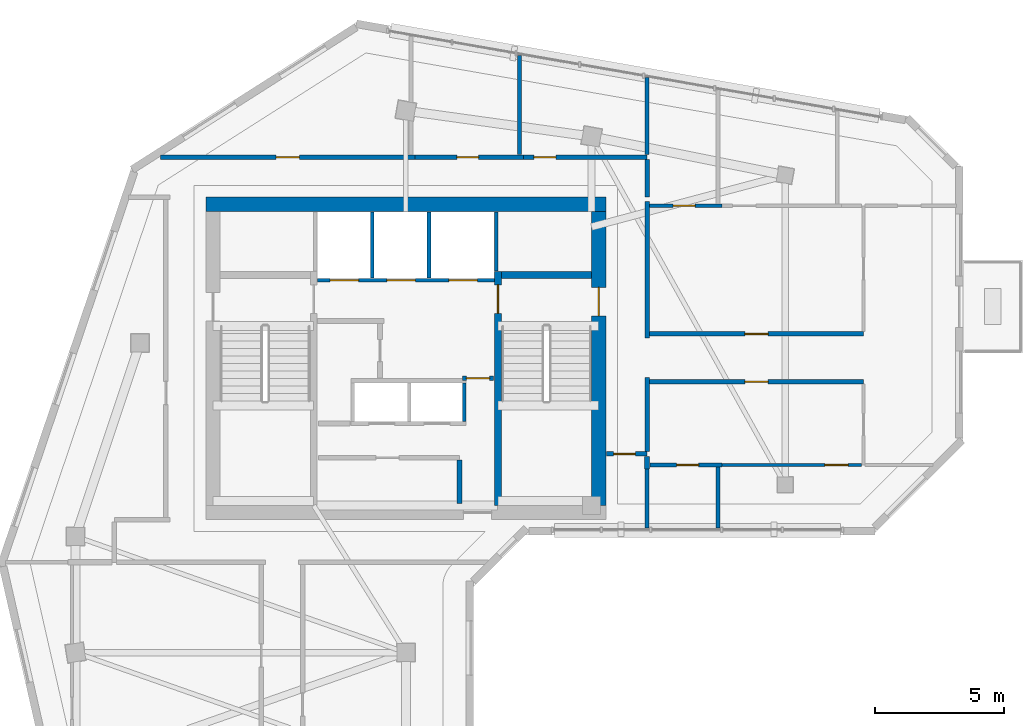
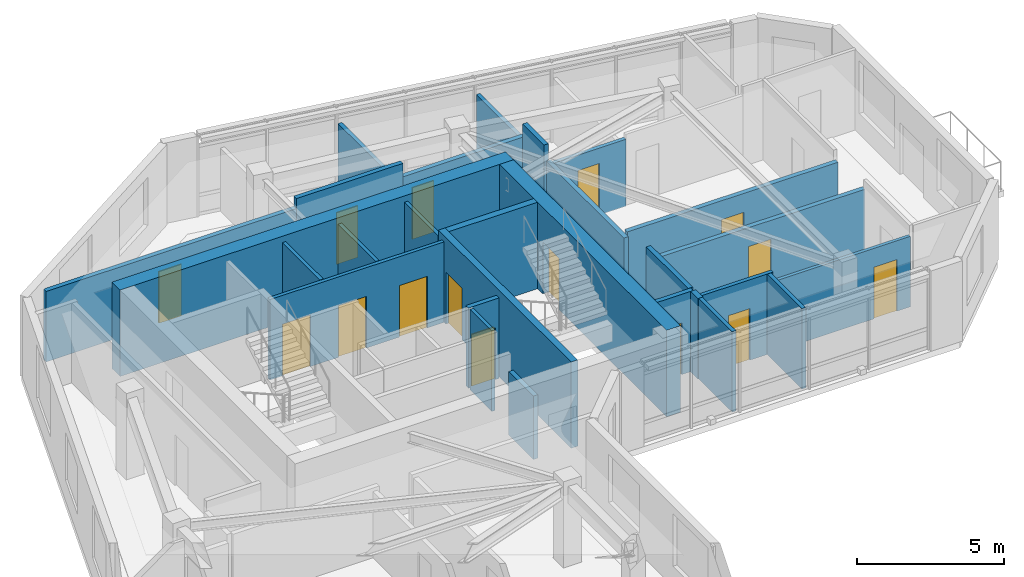
# One storey, part 5 of 9: 28 walls, 15 doors, 15 openings.
"""IFC4 building model written with IfcOpenShell, lengths in metres."""

import ifcopenshell
import ifcopenshell.guid

model = None  # the IFC model being written
_history = None  # IfcOwnerHistory: only IFC2X3 demands one
_inside = {}  # id of a spatial element -> (the spatial element, [elements in it])
_under = {}  # id of a project, library or spatial element -> (it, [spatial elements below it])
_declared = {}  # id of a project -> (the project, [libraries it declares])
_typed = {}  # id of a type object -> (the type object, [elements of that type])
_made_of = {}  # id of a material, layer set ... -> (it, [elements and type objects made of it])


def new_model(schema):
    """Start an empty IFC model of exactly this schema.

    Asked for "IFC4X3", IfcOpenShell would pick the latest addendum, in which some entities
    have other attributes; the version numbers below select the first issue.
    IFC2X3 requires an IfcOwnerHistory on every rooted entity: one is made here for all.
    """
    global model, _history
    if schema == "IFC4X3":
        model = ifcopenshell.file(schema_version=(4, 3, 0, 0))
    else:
        model = ifcopenshell.file(schema=schema)
    _inside.clear()
    _under.clear()
    _declared.clear()
    _typed.clear()
    _made_of.clear()
    _history = None
    if model.schema == "IFC2X3":
        org = make("IfcOrganization", Name="unknown")
        user = make(
            "IfcPersonAndOrganization",
            ThePerson=make("IfcPerson", FamilyName="unknown"),
            TheOrganization=org,
        )
        app = make(
            "IfcApplication",
            ApplicationDeveloper=org,
            Version="unknown",
            ApplicationFullName="unknown",
            ApplicationIdentifier="unknown",
        )
        _history = make(
            "IfcOwnerHistory",
            OwningUser=user,
            OwningApplication=app,
            ChangeAction="ADDED",
            CreationDate=0,
        )
    return model


def make(cls, **values):
    """One entity of the class cls with the attributes given. An attribute that is None is left unset."""
    return model.create_entity(
        cls, **{name: value for name, value in values.items() if value is not None}
    )


def rooted(cls, **values):
    """An entity with a GlobalId (a new one), such as an element, a storey or a relation."""
    return make(cls, GlobalId=ifcopenshell.guid.new(), OwnerHistory=_history, **values)


def si_unit(unit_type, name, prefix=None):
    """IfcSIUnit, for example si_unit("LENGTHUNIT", "METRE", prefix="MILLI")."""
    return make("IfcSIUnit", UnitType=unit_type, Prefix=prefix, Name=name)


def assignment(units):
    """IfcUnitAssignment: the units of a project."""
    return None if units is None else make("IfcUnitAssignment", Units=units)


def point(xyz):
    """IfcCartesianPoint."""
    return None if xyz is None else make("IfcCartesianPoint", Coordinates=xyz)


def direction(xyz):
    """IfcDirection."""
    return None if xyz is None else make("IfcDirection", DirectionRatios=xyz)


def frame(location, z_axis=None, x_axis=None):
    """IfcAxis2Placement3D, a coordinate frame: its origin and axes. An axis left out is left unset."""
    return make(
        "IfcAxis2Placement3D",
        Location=point(location),
        Axis=direction(z_axis),
        RefDirection=direction(x_axis),
    )


def frame_2d(location, x_axis=None):
    """IfcAxis2Placement2D, a coordinate frame in the plane: its origin and x axis."""
    return make(
        "IfcAxis2Placement2D", Location=point(location), RefDirection=direction(x_axis)
    )


def origin():
    """The frame at (0, 0, 0) with its axes left unset."""
    return frame((0.0, 0.0, 0.0))


def place(relative_to, where):
    """IfcLocalPlacement: puts the frame where relative to a parent placement (None: the world)."""
    return make(
        "IfcLocalPlacement", PlacementRelTo=relative_to, RelativePlacement=where
    )


def context(
    kind, dimensions, precision=None, world=None, true_north=None, identifier=None
):
    """IfcGeometricRepresentationContext, for example the 3D "Model" context."""
    return make(
        "IfcGeometricRepresentationContext",
        ContextIdentifier=identifier,
        ContextType=kind,
        CoordinateSpaceDimension=dimensions,
        Precision=precision,
        WorldCoordinateSystem=world,
        TrueNorth=true_north,
    )


def subcontext(parent, identifier, kind, view, scale=None):
    """IfcGeometricRepresentationSubContext, for example "Body" below "Model"."""
    return make(
        "IfcGeometricRepresentationSubContext",
        ContextIdentifier=identifier,
        ContextType=kind,
        ParentContext=parent,
        TargetScale=scale,
        TargetView=view,
    )


def project(units=None, contexts=None):
    """IfcProject with its units and contexts."""
    return rooted(
        "IfcProject",
        Name="project",
        RepresentationContexts=contexts,
        UnitsInContext=assignment(units),
    )


def spatial(cls, under=None, at=None, **own):
    """A site, building, storey or space (cls), placed at a placement, below another one or the project."""
    s = rooted(cls, ObjectPlacement=at, **own)
    if under is not None:
        _under.setdefault(under.id(), (under, []))[1].append(s)
    return s


def profile(cls, at=None, kind="AREA", **sizes):
    """A parametric profile (cls). Its sizes go by their IFC names, for example OverallWidth=200.0."""
    return make(cls, ProfileType=kind, Position=at, **sizes)


def rectangle(**sizes):
    """IfcRectangleProfileDef."""
    return profile("IfcRectangleProfileDef", **sizes)


def extrude(swept, where, along, depth):
    """IfcExtrudedAreaSolid: the profile swept, set in the frame where, extruded along a direction by depth."""
    return make(
        "IfcExtrudedAreaSolid",
        SweptArea=swept,
        Position=where,
        ExtrudedDirection=direction(along),
        Depth=depth,
    )


def shape(context_of_items, identifier, shape_type, items):
    """IfcShapeRepresentation: the items that make up one representation, for example the "Body"."""
    return make(
        "IfcShapeRepresentation",
        ContextOfItems=context_of_items,
        RepresentationIdentifier=identifier,
        RepresentationType=shape_type,
        Items=items,
    )


def source(mapping_origin, context_of_items, identifier, shape_type, items):
    """IfcRepresentationMap: a shape defined once, which mapped items show again and again."""
    return make(
        "IfcRepresentationMap",
        MappingOrigin=mapping_origin,
        MappedRepresentation=shape(context_of_items, identifier, shape_type, items),
    )


def transform(
    local_origin,
    x_axis=None,
    y_axis=None,
    z_axis=None,
    scale=None,
    scale2=None,
    scale3=None,
    uniform=True,
):
    """IfcCartesianTransformationOperator3D, or its non-uniform kind. x_axis, y_axis, z_axis: its Axis1, 2, 3."""
    if uniform:
        return make(
            "IfcCartesianTransformationOperator3D",
            Axis1=direction(x_axis),
            Axis2=direction(y_axis),
            LocalOrigin=point(local_origin),
            Scale=scale,
            Axis3=direction(z_axis),
        )
    return make(
        "IfcCartesianTransformationOperator3DnonUniform",
        Axis1=direction(x_axis),
        Axis2=direction(y_axis),
        LocalOrigin=point(local_origin),
        Scale=scale,
        Axis3=direction(z_axis),
        Scale2=scale2,
        Scale3=scale3,
    )


def mapped(mapping_source, mapping_target):
    """IfcMappedItem: shows the shape of a source again, moved by a transform."""
    return make(
        "IfcMappedItem", MappingSource=mapping_source, MappingTarget=mapping_target
    )


def material(Name=None, Category=None):
    """IfcMaterial."""
    return make("IfcMaterial", Name=Name, Category=Category)


def layer(
    of_material, thickness, ventilated=None, Name=None, Category=None, Priority=None
):
    """IfcMaterialLayer: one layer of a wall or slab, of a material (None: an air gap)."""
    return make(
        "IfcMaterialLayer",
        Material=of_material,
        LayerThickness=thickness,
        IsVentilated=ventilated,
        Name=Name,
        Category=Category,
        Priority=Priority,
    )


def layer_set(layers, Name=None):
    """IfcMaterialLayerSet."""
    return make("IfcMaterialLayerSet", MaterialLayers=layers, LayerSetName=Name)


def made_of(thing, what):
    """Note that an element or type object is made of a material, layer set ...; save() writes the relation."""
    if what is not None:
        _made_of.setdefault(what.id(), (what, []))[1].append(thing)
    return thing


def type_object(cls, material=None, **own):
    """A type object (cls), such as IfcWallType, which elements share."""
    return made_of(rooted(cls, **own), material)


def element(
    cls,
    number,
    at=None,
    inside=None,
    cuts=None,
    type_object=None,
    material=None,
    context=None,
    identifier="Body",
    shape_type=None,
    held_by="IfcProductDefinitionShape",
    body=None,
    shapes=None,
    **own,
):
    """One element of the class cls, such as IfcWall. Its Tag is "e" and its number.

    at: its placement. inside: the storey or other place that contains it. cuts: it is an
    opening in that element (IfcRelVoidsElement). A single representation is given by context,
    identifier, shape_type and body (its items); several are given by shapes. held_by: the class
    of the entity that holds the representations. save() writes the other relations.
    """
    e = rooted(cls, Tag="e%d" % number, ObjectPlacement=at, **own)
    if body is not None:
        shapes = [shape(context, identifier, shape_type, body)]
    if shapes is not None:
        e.Representation = make(held_by, Representations=shapes)
    if inside is not None:
        _inside.setdefault(inside.id(), (inside, []))[1].append(e)
    if cuts is not None:
        rooted(
            "IfcRelVoidsElement", RelatingBuildingElement=cuts, RelatedOpeningElement=e
        )
    if type_object is not None:
        _typed.setdefault(type_object.id(), (type_object, []))[1].append(e)
    return made_of(e, material)


def fill(opening, filler):
    """IfcRelFillsElement: the door or window that sits in an opening."""
    return rooted(
        "IfcRelFillsElement",
        RelatingOpeningElement=opening,
        RelatedBuildingElement=filler,
    )


def aggregate(whole, parts):
    """IfcRelAggregates: a whole, such as a stair, and the parts it consists of."""
    return rooted("IfcRelAggregates", RelatingObject=whole, RelatedObjects=parts)


def save(model, path):
    """Write the relations noted so far, then the file.

    IfcRelAggregates (storeys below a building ...), IfcRelContainedInSpatialStructure (elements
    in a storey), IfcRelDefinesByType, IfcRelAssociatesMaterial and IfcRelDeclares: one each for
    every whole, place, type object, material and project.
    """
    for whole, parts in _under.values():
        aggregate(whole, parts)
    for where, things in _inside.values():
        rooted(
            "IfcRelContainedInSpatialStructure",
            RelatedElements=things,
            RelatingStructure=where,
        )
    for kind, things in _typed.values():
        rooted("IfcRelDefinesByType", RelatedObjects=things, RelatingType=kind)
    for what, things in _made_of.values():
        rooted("IfcRelAssociatesMaterial", RelatedObjects=things, RelatingMaterial=what)
    for by, libraries in _declared.values():
        rooted("IfcRelDeclares", RelatingContext=by, RelatedDefinitions=libraries)
    model.write(path)


model = new_model("IFC4")

# Units and contexts
model_context = context("Model", 3, precision=1e-05, world=origin(), true_north=direction((0.0, 1.0)))
body_context = subcontext(model_context, "Body", "Model", "MODEL_VIEW")
ifc_project = project(units=[si_unit("LENGTHUNIT", "METRE"), si_unit("AREAUNIT", "SQUARE_METRE"), si_unit("VOLUMEUNIT", "CUBIC_METRE"), si_unit("PLANEANGLEUNIT", "RADIAN"), si_unit("MASSUNIT", "GRAM", prefix="KILO")], contexts=[model_context])

# Site, building, storey
site_placement = place(None, origin())
site = spatial("IfcSite", under=ifc_project, at=site_placement, CompositionType="ELEMENT")
building_placement = place(site_placement, origin())
building = spatial("IfcBuilding", under=site, at=building_placement, Name="Calvemar Wedge Station Tower", CompositionType="ELEMENT")
storey_placement = place(building_placement, frame((0.0, 0.0, 260.10009765625)))
storey = spatial("IfcBuildingStorey", under=building, at=storey_placement, Name="L66", CompositionType="ELEMENT", Elevation=260.10009765625)

# Wall, opening, door
ifc_material_1 = material(Name="Concrete C50", Category="concrete")
ifc_layer_1 = layer(ifc_material_1, 0.260009765625)
ifc_layer_set_1 = layer_set([ifc_layer_1], Name="Concrete C50")
wall_type_1 = type_object("IfcWallType", Name="SW-CORE-260", PredefinedType="SHEAR", material=ifc_layer_set_1)
wall_1_placement = place(storey_placement, frame((27.3701171875, 34.199951171875, 0.0), z_axis=(0.0, 0.0, 1.0), x_axis=(0.0, 1.0, 0.0)))
wall_1 = element("IfcWall", 1, at=wall_1_placement, inside=storey, type_object=wall_type_1, Name="Storey L66 Core Shear Wall SPINE-E", PredefinedType="SHEAR", context=body_context, shape_type="SweptSolid", body=[
    extrude(rectangle(XDim=9.06005859375, YDim=0.260009765625, at=frame_2d((4.530029296875, 0.0))), origin(), (0.0, 0.0, 1.0), 3.599853515625),
])
shared_shape_1 = source(origin(), body_context, "Body", "SweptSolid", [
    extrude(rectangle(XDim=1.10009765625, YDim=2.14990234375, at=frame_2d((0.550048828125, 1.074951171875))), frame((0.0, 0.14013671875, 0.0), z_axis=(0.0, -1.0, 0.0), x_axis=(1.0, 0.0, 0.0)), (0.0, 0.0, 1.0), 0.280029296875),
])
opening_1_placement = place(wall_1_placement, frame((7.449951171875, 0.0, 0.0)))
opening_1 = element("IfcOpeningElement", 2, at=opening_1_placement, cuts=wall_1, Name="Opening FD-90", PredefinedType="OPENING", context=body_context, shape_type="MappedRepresentation", body=[
    mapped(shared_shape_1, transform((0.0, 0.0, 0.0), scale=1.0)),
])
ifc_material_2 = material(Name="Galvanized fire-rated steel door leaf P-90", Category="steel")
door_type_1 = type_object("IfcDoorType", Name="DR-FD90-1100", OperationType="NOTDEFINED", PredefinedType="DOOR", material=ifc_material_2)
shared_shape_2 = source(origin(), body_context, "Body", "SweptSolid", [
    extrude(rectangle(XDim=1.10009765625, YDim=2.14990234375, at=frame_2d((0.550048828125, 1.074951171875))), frame((0.0, 0.02490234375, 0.0), z_axis=(0.0, -1.0, 0.0), x_axis=(1.0, 0.0, 0.0)), (0.0, 0.0, 1.0), 0.050048828125),
])
door_1_placement = place(opening_1_placement, origin())
door_1 = element("IfcDoor", 3, at=door_1_placement, inside=storey, type_object=door_type_1, Name="L66 FF Lobby to Stair ST-C2 Door", OperationType="SINGLE_SWING_RIGHT", OverallHeight=2.14990234375, OverallWidth=1.10009765625, PredefinedType="DOOR", context=body_context, shape_type="MappedRepresentation", body=[
    mapped(shared_shape_2, transform((0.0, 0.0, 0.0), scale=1.0)),
])
fill(opening_1, door_1)

# Walls
wall_2_placement = place(storey_placement, frame((27.5, 43.1298828125, 0.0), z_axis=(0.0, 0.0, 1.0), x_axis=(1.0, 0.0, 0.0)))
element("IfcWall", 4, at=wall_2_placement, inside=storey, type_object=wall_type_1, Name="Storey L66 Core Shear Wall STC2-N", PredefinedType="SHEAR", context=body_context, shape_type="SweptSolid", body=[
    extrude(rectangle(XDim=3.5, YDim=0.260009765625, at=frame_2d((1.75, 0.0))), origin(), (0.0, 0.0, 1.0), 3.599853515625),
])
ifc_material_3 = material(Name="Concrete C60", Category="concrete")
ifc_layer_2 = layer(ifc_material_3, 0.550048828125)
ifc_layer_set_2 = layer_set([ifc_layer_2], Name="Concrete C60")
wall_type_2 = type_object("IfcWallType", Name="SW-CORE-550", PredefinedType="SHEAR", material=ifc_layer_set_2)
wall_3_placement = place(storey_placement, frame((16.050048828125, 45.875, 0.0), z_axis=(0.0, 0.0, 1.0), x_axis=(1.0, 0.0, 0.0)))
element("IfcWall", 5, at=wall_3_placement, inside=storey, type_object=wall_type_2, Name="Storey L66 Core Shear Wall N", PredefinedType="SHEAR", context=body_context, shape_type="SweptSolid", body=[
    extrude(rectangle(XDim=15.5, YDim=0.550048828125, at=frame_2d((7.75, 0.0))), origin(), (0.0, 0.0, 1.0), 3.599853515625),
])

# Wall, opening, door
wall_4_placement = place(storey_placement, frame((31.27490234375, 34.199951171875, 0.0), z_axis=(0.0, 0.0, 1.0), x_axis=(0.0, 1.0, 0.0)))
wall_4 = element("IfcWall", 6, at=wall_4_placement, inside=storey, type_object=wall_type_2, Name="Storey L66 Core Shear Wall E", PredefinedType="SHEAR", context=body_context, shape_type="SweptSolid", body=[
    extrude(rectangle(XDim=11.400146484375, YDim=0.550048828125, at=frame_2d((5.7001953125, 0.0))), origin(), (0.0, 0.0, 1.0), 3.599853515625),
])
shared_shape_3 = source(origin(), body_context, "Body", "SweptSolid", [
    extrude(rectangle(XDim=1.10009765625, YDim=2.14990234375, at=frame_2d((0.550048828125, 1.074951171875))), frame((0.0, 0.28515625, 0.0), z_axis=(0.0, -1.0, 0.0), x_axis=(1.0, 0.0, 0.0)), (0.0, 0.0, 1.0), 0.570068359375),
])
opening_2_placement = place(wall_4_placement, frame((7.35009765625, 0.0, 0.0)))
opening_2 = element("IfcOpeningElement", 7, at=opening_2_placement, cuts=wall_4, Name="Opening FD-90", PredefinedType="OPENING", context=body_context, shape_type="MappedRepresentation", body=[
    mapped(shared_shape_3, transform((0.0, 0.0, 0.0), scale=1.0)),
])
door_2_placement = place(opening_2_placement, origin())
door_2 = element("IfcDoor", 8, at=door_2_placement, inside=storey, type_object=door_type_1, Name="L66 East Corridor to Exit Stair ST-C2 Door", OperationType="SINGLE_SWING_RIGHT", OverallHeight=2.14990234375, OverallWidth=1.10009765625, PredefinedType="DOOR", context=body_context, shape_type="MappedRepresentation", body=[
    mapped(shared_shape_2, transform((0.0, 0.0, 0.0), scale=1.0)),
])
fill(opening_2, door_2)

ifc_material_4 = material(Name="Double-stud fire-rated corridor partition")
ifc_layer_3 = layer(ifc_material_4, 0.179931640625)
ifc_layer_set_3 = layer_set([ifc_layer_3], Name="Double-stud fire-rated corridor partition")
wall_type_3 = type_object("IfcWallType", Name="W-CORR-180", PredefinedType="PARTITIONING", material=ifc_layer_set_3)
wall_5_placement = place(storey_placement, frame((27.199951171875, 39.1298828125, 0.0), z_axis=(0.0, 0.0, 1.0), x_axis=(-1.0, 0.0, 0.0)))
wall_5 = element("IfcWall", 9, at=wall_5_placement, inside=storey, type_object=wall_type_3, Name="Storey L66 Interior Partition WL-L66-004", PredefinedType="PARTITIONING", context=body_context, shape_type="SweptSolid", body=[
    extrude(rectangle(XDim=1.2099609375, YDim=0.179931640625, at=frame_2d((0.60498046875, 0.0))), origin(), (0.0, 0.0, 1.0), 3.349853515625),
])
shared_shape_4 = source(origin(), body_context, "Body", "SweptSolid", [
    extrude(rectangle(XDim=0.89990234375, YDim=2.14990234375, at=frame_2d((0.449951171875, 1.074951171875))), frame((0.0, 0.10009765625, 0.0), z_axis=(0.0, -1.0, 0.0), x_axis=(1.0, 0.0, 0.0)), (0.0, 0.0, 1.0), 0.199951171875),
])
opening_3_placement = place(wall_5_placement, frame((0.155029296875, 0.0, 0.0)))
opening_3 = element("IfcOpeningElement", 10, at=opening_3_placement, cuts=wall_5, Name="Opening FD-60", PredefinedType="OPENING", context=body_context, shape_type="MappedRepresentation", body=[
    mapped(shared_shape_4, transform((0.0, 0.0, 0.0), scale=1.0)),
])
ifc_material_5 = material(Name="Fire-rated acoustic timber-core entrance door EI 60", Category="wood")
door_type_2 = type_object("IfcDoorType", Name="DR-FD60-900", OperationType="NOTDEFINED", PredefinedType="DOOR", material=ifc_material_5)
shared_shape_5 = source(origin(), body_context, "Body", "SweptSolid", [
    extrude(rectangle(XDim=0.89990234375, YDim=2.14990234375, at=frame_2d((0.449951171875, 1.074951171875))), frame((0.0, 0.02490234375, 0.0), z_axis=(0.0, -1.0, 0.0), x_axis=(1.0, 0.0, 0.0)), (0.0, 0.0, 1.0), 0.050048828125),
])
door_3_placement = place(opening_3_placement, origin())
door_3 = element("IfcDoor", 11, at=door_3_placement, inside=storey, type_object=door_type_2, Name="L66 Core Service Lobby Door", OperationType="SINGLE_SWING_LEFT", OverallHeight=2.14990234375, OverallWidth=0.89990234375, PredefinedType="DOOR", context=body_context, shape_type="MappedRepresentation", body=[
    mapped(shared_shape_5, transform((0.0, 0.0, 0.0), scale=1.0)),
])
fill(opening_3, door_3)

# Wall
wall_6_placement = place(storey_placement, frame((25.8798828125, 35.9560546875, 0.0), z_axis=(0.0, 0.0, 1.0), x_axis=(0.0, -1.0, 0.0)))
element("IfcWall", 12, at=wall_6_placement, inside=storey, type_object=wall_type_3, Name="Storey L66 Interior Partition WL-L66-006", PredefinedType="PARTITIONING", context=body_context, shape_type="SweptSolid", body=[
    extrude(rectangle(XDim=1.68603515625, YDim=0.179931640625, at=frame_2d((0.843017578125, 0.0))), origin(), (0.0, 0.0, 1.0), 2.641845703125),
])

# Wall, opening, door
wall_7_placement = place(storey_placement, frame((14.29541015625, 47.699951171875, 0.0), z_axis=(0.0, 0.0, 1.0), x_axis=(1.0, 0.0, 0.0)))
wall_7 = element("IfcWall", 13, at=wall_7_placement, inside=storey, type_object=wall_type_3, Name="Storey L66 Interior Partition WL-L66-014", PredefinedType="PARTITIONING", context=body_context, shape_type="SweptSolid", body=[
    extrude(rectangle(XDim=9.864501953125, YDim=0.179931640625, at=frame_2d((4.93212890625, 0.0))), origin(), (0.0, 0.0, 1.0), 2.934814453125),
])
opening_4_placement = place(wall_7_placement, frame((4.482421875, 0.0, 0.0)))
opening_4 = element("IfcOpeningElement", 14, at=opening_4_placement, cuts=wall_7, Name="Opening D-01", PredefinedType="OPENING", context=body_context, shape_type="MappedRepresentation", body=[
    mapped(shared_shape_4, transform((0.0, 0.0, 0.0), scale=1.0)),
])
ifc_material_6 = material(Name="Architectural hardwood acoustic swing door", Category="wood")
door_type_3 = type_object("IfcDoorType", Name="DR-INT-900", OperationType="NOTDEFINED", PredefinedType="DOOR", material=ifc_material_6)
shared_shape_6 = source(origin(), body_context, "Body", "SweptSolid", [
    extrude(rectangle(XDim=0.89990234375, YDim=2.14990234375, at=frame_2d((0.449951171875, 1.074951171875))), frame((0.0, 0.02490234375, 0.0), z_axis=(0.0, -1.0, 0.0), x_axis=(1.0, 0.0, 0.0)), (0.0, 0.0, 1.0), 0.050048828125),
])
door_4_placement = place(opening_4_placement, origin())
door_4 = element("IfcDoor", 15, at=door_4_placement, inside=storey, type_object=door_type_3, Name="L66 Sky Wine Salon Door", OperationType="SINGLE_SWING_RIGHT", OverallHeight=2.14990234375, OverallWidth=0.89990234375, PredefinedType="DOOR", context=body_context, shape_type="MappedRepresentation", body=[
    mapped(shared_shape_6, transform((0.0, 0.0, 0.0), scale=1.0)),
])
fill(opening_4, door_4)

wall_8_placement = place(storey_placement, frame((24.162109375, 47.699951171875, 0.0), z_axis=(0.0, 0.0, 1.0), x_axis=(1.0, 0.0, 0.0)))
wall_8 = element("IfcWall", 16, at=wall_8_placement, inside=storey, type_object=wall_type_3, Name="Storey L66 Interior Partition WL-L66-015", PredefinedType="PARTITIONING", context=body_context, shape_type="SweptSolid", body=[
    extrude(rectangle(XDim=4.197998046875, YDim=0.179931640625, at=frame_2d((2.09912109375, 0.0))), origin(), (0.0, 0.0, 1.0), 3.349853515625),
])
shared_shape_7 = source(origin(), body_context, "Body", "SweptSolid", [
    extrude(rectangle(XDim=0.85009765625, YDim=2.14990234375, at=frame_2d((0.425048828125, 1.074951171875))), frame((0.0, 0.10009765625, 0.0), z_axis=(0.0, -1.0, 0.0), x_axis=(1.0, 0.0, 0.0)), (0.0, 0.0, 1.0), 0.199951171875),
])
opening_5_placement = place(wall_8_placement, frame((1.61328125, 0.0, 0.0)))
opening_5 = element("IfcOpeningElement", 17, at=opening_5_placement, cuts=wall_8, Name="Opening D-02", PredefinedType="OPENING", context=body_context, shape_type="MappedRepresentation", body=[
    mapped(shared_shape_7, transform((0.0, 0.0, 0.0), scale=1.0)),
])
ifc_material_7 = material(Name="Moisture-sealed bathroom hardwood swing door", Category="wood")
door_type_4 = type_object("IfcDoorType", Name="DR-WET-850", OperationType="NOTDEFINED", PredefinedType="DOOR", material=ifc_material_7)
shared_shape_8 = source(origin(), body_context, "Body", "SweptSolid", [
    extrude(rectangle(XDim=0.85009765625, YDim=2.14990234375, at=frame_2d((0.425048828125, 1.074951171875))), frame((0.0, 0.02490234375, 0.0), z_axis=(0.0, -1.0, 0.0), x_axis=(1.0, 0.0, 0.0)), (0.0, 0.0, 1.0), 0.050048828125),
])
door_5_placement = place(opening_5_placement, origin())
door_5 = element("IfcDoor", 18, at=door_5_placement, inside=storey, type_object=door_type_4, Name="L66 Accessible WC Door", OperationType="SINGLE_SWING_LEFT", OverallHeight=2.14990234375, OverallWidth=0.85009765625, PredefinedType="DOOR", context=body_context, shape_type="MappedRepresentation", body=[
    mapped(shared_shape_8, transform((0.0, 0.0, 0.0), scale=1.0)),
])
fill(opening_5, door_5)

wall_9_placement = place(storey_placement, frame((28.362060546875, 47.699951171875, 0.0), z_axis=(0.0, 0.0, 1.0), x_axis=(1.0, 0.0, 0.0)))
wall_9 = element("IfcWall", 19, at=wall_9_placement, inside=storey, type_object=wall_type_3, Name="Storey L66 Interior Partition WL-L66-016", PredefinedType="PARTITIONING", context=body_context, shape_type="SweptSolid", body=[
    extrude(rectangle(XDim=4.787841796875, YDim=0.179931640625, at=frame_2d((2.39404296875, 0.0))), origin(), (0.0, 0.0, 1.0), 2.787841796875),
])
opening_6_placement = place(wall_9_placement, frame((0.400634765625, 0.0, 0.0)))
opening_6 = element("IfcOpeningElement", 20, at=opening_6_placement, cuts=wall_9, Name="Opening D-02", PredefinedType="OPENING", context=body_context, shape_type="MappedRepresentation", body=[
    mapped(shared_shape_7, transform((0.0, 0.0, 0.0), scale=1.0)),
])
door_6_placement = place(opening_6_placement, origin())
door_6 = element("IfcDoor", 21, at=door_6_placement, inside=storey, type_object=door_type_4, Name="L66 Storage Room Door", OperationType="SINGLE_SWING_RIGHT", OverallHeight=2.14990234375, OverallWidth=0.85009765625, PredefinedType="DOOR", context=body_context, shape_type="MappedRepresentation", body=[
    mapped(shared_shape_8, transform((0.0, 0.0, 0.0), scale=1.0)),
])
fill(opening_6, door_6)

# Wall
wall_10_placement = place(storey_placement, frame((33.14990234375, 47.60595703125, 0.0), z_axis=(0.0, 0.0, 1.0), x_axis=(0.0, -1.0, 0.0)))
element("IfcWall", 22, at=wall_10_placement, inside=storey, type_object=wall_type_3, Name="Storey L66 Interior Partition WL-L66-017", PredefinedType="PARTITIONING", context=body_context, shape_type="SweptSolid", body=[
    extrude(rectangle(XDim=1.4560546875, YDim=0.179931640625, at=frame_2d((0.72802734375, 0.0))), origin(), (0.0, 0.0, 1.0), 3.349853515625),
])

# Wall, opening, door
wall_11_placement = place(storey_placement, frame((33.14990234375, 36.199951171875, 0.0), z_axis=(0.0, 0.0, 1.0), x_axis=(-1.0, 0.0, 0.0)))
wall_11 = element("IfcWall", 23, at=wall_11_placement, inside=storey, type_object=wall_type_3, Name="Storey L66 Interior Partition WL-L66-018", PredefinedType="PARTITIONING", context=body_context, shape_type="SweptSolid", body=[
    extrude(rectangle(XDim=1.579833984375, YDim=0.179931640625, at=frame_2d((0.7900390625, 0.0))), origin(), (0.0, 0.0, 1.0), 3.349853515625),
])
opening_7_placement = place(wall_11_placement, frame((0.449951171875, 0.0, 0.0)))
opening_7 = element("IfcOpeningElement", 24, at=opening_7_placement, cuts=wall_11, Name="Opening D-02", PredefinedType="OPENING", context=body_context, shape_type="MappedRepresentation", body=[
    mapped(shared_shape_7, transform((0.0, 0.0, 0.0), scale=1.0)),
])
door_7_placement = place(opening_7_placement, origin())
door_7 = element("IfcDoor", 25, at=door_7_placement, inside=storey, type_object=door_type_4, Name="L66 Pantry Door", OperationType="SINGLE_SWING_LEFT", OverallHeight=2.14990234375, OverallWidth=0.85009765625, PredefinedType="DOOR", context=body_context, shape_type="MappedRepresentation", body=[
    mapped(shared_shape_8, transform((0.0, 0.0, 0.0), scale=1.0)),
])
fill(opening_7, door_7)

# Walls
wall_12_placement = place(storey_placement, frame((33.14990234375, 45.97509765625, 0.0), z_axis=(0.0, 0.0, 1.0), x_axis=(0.0, -1.0, 0.0)))
element("IfcWall", 26, at=wall_12_placement, inside=storey, type_object=wall_type_3, Name="Storey L66 Interior Partition WL-L66-019", PredefinedType="PARTITIONING", context=body_context, shape_type="SweptSolid", body=[
    extrude(rectangle(XDim=5.28515625, YDim=0.179931640625, at=frame_2d((2.642578125, 0.0))), origin(), (0.0, 0.0, 1.0), 2.787841796875),
])
wall_13_placement = place(storey_placement, frame((33.14990234375, 39.159912109375, 0.0), z_axis=(0.0, 0.0, 1.0), x_axis=(0.0, -1.0, 0.0)))
element("IfcWall", 27, at=wall_13_placement, inside=storey, type_object=wall_type_3, Name="Storey L66 Interior Partition WL-L66-020", PredefinedType="PARTITIONING", context=body_context, shape_type="SweptSolid", body=[
    extrude(rectangle(XDim=2.865966796875, YDim=0.179931640625, at=frame_2d((1.43310546875, 0.0))), origin(), (0.0, 0.0, 1.0), 3.349853515625),
])

# Wall, opening, door
wall_14_placement = place(storey_placement, frame((33.243896484375, 40.85009765625, 0.0), z_axis=(0.0, 0.0, 1.0), x_axis=(1.0, 0.0, 0.0)))
wall_14 = element("IfcWall", 28, at=wall_14_placement, inside=storey, type_object=wall_type_3, Name="Storey L66 Interior Partition WL-L66-026", PredefinedType="PARTITIONING", context=body_context, shape_type="SweptSolid", body=[
    extrude(rectangle(XDim=8.291015625, YDim=0.179931640625, at=frame_2d((4.1455078125, 0.0))), origin(), (0.0, 0.0, 1.0), 2.934814453125),
])
opening_8_placement = place(wall_14_placement, frame((3.695556640625, 0.0, 0.0)))
opening_8 = element("IfcOpeningElement", 29, at=opening_8_placement, cuts=wall_14, Name="Opening FD-60", PredefinedType="OPENING", context=body_context, shape_type="MappedRepresentation", body=[
    mapped(shared_shape_4, transform((0.0, 0.0, 0.0), scale=1.0)),
])
door_8_placement = place(opening_8_placement, origin())
door_8 = element("IfcDoor", 30, at=door_8_placement, inside=storey, type_object=door_type_2, Name="L66 Living Dining Door", OperationType="SINGLE_SWING_RIGHT", OverallHeight=2.14990234375, OverallWidth=0.89990234375, PredefinedType="DOOR", context=body_context, shape_type="MappedRepresentation", body=[
    mapped(shared_shape_5, transform((0.0, 0.0, 0.0), scale=1.0)),
])
fill(opening_8, door_8)

wall_15_placement = place(storey_placement, frame((41.534912109375, 39.0, 0.0), z_axis=(0.0, 0.0, 1.0), x_axis=(-1.0, 0.0, 0.0)))
wall_15 = element("IfcWall", 31, at=wall_15_placement, inside=storey, type_object=wall_type_3, Name="Storey L66 Interior Partition WL-L66-027", PredefinedType="PARTITIONING", context=body_context, shape_type="SweptSolid", body=[
    extrude(rectangle(XDim=8.291015625, YDim=0.179931640625, at=frame_2d((4.1455078125, 0.0))), origin(), (0.0, 0.0, 1.0), 2.934814453125),
])
opening_9_placement = place(wall_15_placement, frame((3.695556640625, 0.0, 0.0)))
opening_9 = element("IfcOpeningElement", 32, at=opening_9_placement, cuts=wall_15, Name="Opening FD-60", PredefinedType="OPENING", context=body_context, shape_type="MappedRepresentation", body=[
    mapped(shared_shape_4, transform((0.0, 0.0, 0.0), scale=1.0)),
])
door_9_placement = place(opening_9_placement, origin())
door_9 = element("IfcDoor", 33, at=door_9_placement, inside=storey, type_object=door_type_2, Name="L66 Living Dining Door", OperationType="SINGLE_SWING_LEFT", OverallHeight=2.14990234375, OverallWidth=0.89990234375, PredefinedType="DOOR", context=body_context, shape_type="MappedRepresentation", body=[
    mapped(shared_shape_5, transform((0.0, 0.0, 0.0), scale=1.0)),
])
fill(opening_9, door_9)

# Wall
ifc_material_8 = material(Name="Twin-stud fire-rated inter-tenancy wall")
ifc_layer_4 = layer(ifc_material_8, 0.199951171875)
ifc_layer_set_4 = layer_set([ifc_layer_4], Name="Twin-stud fire-rated inter-tenancy wall")
wall_type_4 = type_object("IfcWallType", Name="W-DEMISE-200", PredefinedType="PARTITIONING", material=ifc_layer_set_4)
wall_16_placement = place(storey_placement, frame((33.14990234375, 36.10595703125, 0.0), z_axis=(0.0, 0.0, 1.0), x_axis=(0.0, -1.0, 0.0)))
element("IfcWall", 34, at=wall_16_placement, inside=storey, type_object=wall_type_4, Name="Storey L66 Interior Partition WL-L66-028", PredefinedType="PARTITIONING", context=body_context, shape_type="SweptSolid", body=[
    extrude(rectangle(XDim=0.494873046875, YDim=0.199951171875, at=frame_2d((0.24755859375, 0.0))), origin(), (0.0, 0.0, 1.0), 3.349853515625),
])

# Wall, openings, doors
ifc_material_9 = material(Name="Reinforced concrete blockwork lift shaft wall", Category="masonry")
ifc_layer_5 = layer(ifc_material_9, 0.139892578125)
ifc_layer_set_5 = layer_set([ifc_layer_5], Name="Reinforced concrete blockwork lift shaft wall")
wall_type_5 = type_object("IfcWallType", Name="W-LIFT-160", PredefinedType="SOLIDWALL", material=ifc_layer_set_5)
wall_17_placement = place(storey_placement, frame((20.3701171875, 42.929931640625, 0.0), z_axis=(0.0, 0.0, 1.0), x_axis=(1.0, 0.0, 0.0)))
wall_17 = element("IfcWall", 35, at=wall_17_placement, inside=storey, type_object=wall_type_5, Name="Storey L66 Firefighting and Service Lift Shaft Front Wall", PredefinedType="SOLIDWALL", context=body_context, shape_type="SweptSolid", body=[
    extrude(rectangle(XDim=6.85986328125, YDim=0.139892578125, at=frame_2d((3.429931640625, 0.0))), origin(), (0.0, 0.0, 1.0), 3.349853515625),
])
shared_shape_9 = source(origin(), body_context, "Body", "SweptSolid", [
    extrude(rectangle(XDim=1.10009765625, YDim=2.14990234375, at=frame_2d((0.550048828125, 1.074951171875))), frame((0.0, 0.080078125, 0.0), z_axis=(0.0, -1.0, 0.0), x_axis=(1.0, 0.0, 0.0)), (0.0, 0.0, 1.0), 0.159912109375),
])
opening_10_placement = place(wall_17_placement, frame((0.5, 0.0, 0.0)))
opening_10 = element("IfcOpeningElement", 36, at=opening_10_placement, cuts=wall_17, Name="Opening LD-FF", PredefinedType="OPENING", context=body_context, shape_type="MappedRepresentation", body=[
    mapped(shared_shape_9, transform((0.0, 0.0, 0.0), scale=1.0)),
])
opening_11_placement = place(wall_17_placement, frame((2.699951171875, 0.0, 0.0)))
opening_11 = element("IfcOpeningElement", 37, at=opening_11_placement, cuts=wall_17, Name="Opening LD-FF", PredefinedType="OPENING", context=body_context, shape_type="MappedRepresentation", body=[
    mapped(shared_shape_9, transform((0.0, 0.0, 0.0), scale=1.0)),
])
opening_12_placement = place(wall_17_placement, frame((5.10009765625, 0.0, 0.0)))
opening_12 = element("IfcOpeningElement", 38, at=opening_12_placement, cuts=wall_17, Name="Opening LD-STN", PredefinedType="OPENING", context=body_context, shape_type="MappedRepresentation", body=[
    mapped(shared_shape_9, transform((0.0, 0.0, 0.0), scale=1.0)),
])
ifc_material_10 = material(Name="Stainless steel firefighting lift sliding landing door", Category="steel")
door_type_5 = type_object("IfcDoorType", Name="DR-LD-FF-1100", OperationType="SLIDING_TO_LEFT", PredefinedType="DOOR", material=ifc_material_10)
shared_shape_10 = source(origin(), body_context, "Body", "SweptSolid", [
    extrude(rectangle(XDim=1.10009765625, YDim=2.14990234375, at=frame_2d((0.550048828125, 1.074951171875))), frame((0.0, 0.02490234375, 0.0), z_axis=(0.0, -1.0, 0.0), x_axis=(1.0, 0.0, 0.0)), (0.0, 0.0, 1.0), 0.050048828125),
])
door_10_placement = place(opening_10_placement, origin())
door_10 = element("IfcDoor", 39, at=door_10_placement, inside=storey, type_object=door_type_5, Name="L66 Lift FF-01 Sliding Landing Door", OperationType="SLIDING_TO_LEFT", OverallHeight=2.14990234375, OverallWidth=1.10009765625, PredefinedType="DOOR", context=body_context, shape_type="MappedRepresentation", body=[
    mapped(shared_shape_10, transform((0.0, 0.0, 0.0), scale=1.0)),
])
fill(opening_10, door_10)
door_11_placement = place(opening_11_placement, origin())
door_11 = element("IfcDoor", 40, at=door_11_placement, inside=storey, type_object=door_type_5, Name="L66 Lift FF-02 Sliding Landing Door", OperationType="SLIDING_TO_RIGHT", OverallHeight=2.14990234375, OverallWidth=1.10009765625, PredefinedType="DOOR", context=body_context, shape_type="MappedRepresentation", body=[
    mapped(shared_shape_10, transform((0.0, 0.0, 0.0), scale=1.0)),
])
fill(opening_11, door_11)
ifc_material_11 = material(Name="Stainless steel transit lift sliding landing door", Category="steel")
door_type_6 = type_object("IfcDoorType", Name="DR-LD-PAX-1100", OperationType="SLIDING_TO_LEFT", PredefinedType="DOOR", material=ifc_material_11)
shared_shape_11 = source(origin(), body_context, "Body", "SweptSolid", [
    extrude(rectangle(XDim=1.10009765625, YDim=2.14990234375, at=frame_2d((0.550048828125, 1.074951171875))), frame((0.0, 0.02490234375, 0.0), z_axis=(0.0, -1.0, 0.0), x_axis=(1.0, 0.0, 0.0)), (0.0, 0.0, 1.0), 0.050048828125),
])
door_12_placement = place(opening_12_placement, origin())
door_12 = element("IfcDoor", 41, at=door_12_placement, inside=storey, type_object=door_type_6, Name="L66 Lift SV-01 Sliding Landing Door", OperationType="SLIDING_TO_LEFT", OverallHeight=2.14990234375, OverallWidth=1.10009765625, PredefinedType="DOOR", context=body_context, shape_type="MappedRepresentation", body=[
    mapped(shared_shape_11, transform((0.0, 0.0, 0.0), scale=1.0)),
])
fill(opening_12, door_12)

# Walls
wall_18_placement = place(storey_placement, frame((27.31005859375, 43.280029296875, 0.0), z_axis=(0.0, 0.0, 1.0), x_axis=(0.0, 1.0, 0.0)))
element("IfcWall", 42, at=wall_18_placement, inside=storey, type_object=wall_type_5, Name="Storey L66 Firefighting Lift Shaft Enclosure Wall E", PredefinedType="SOLIDWALL", context=body_context, shape_type="SweptSolid", body=[
    extrude(rectangle(XDim=2.300048828125, YDim=0.139892578125, at=frame_2d((1.14990234375, 0.0))), origin(), (0.0, 0.0, 1.0), 3.349853515625),
])
for number, where, z_axis, x_axis, name in (
    (43, (22.5, 43.02001953125, 0.0), (0.0, 0.0, 1.0), (0.0, 1.0, 0.0), "Storey L66 Firefighting Lift Shaft Enclosure Wall D1"),
    (44, (24.699951171875, 43.02001953125, 0.0), (0.0, 0.0, 1.0), (0.0, 1.0, 0.0), "Storey L66 Firefighting Lift Shaft Enclosure Wall D2"),
):
    element("IfcWall", number, at=place(storey_placement, frame(where, z_axis=z_axis, x_axis=x_axis)), inside=storey, type_object=wall_type_5, Name=name, PredefinedType="SOLIDWALL", context=body_context, shape_type="SweptSolid", body=[
        extrude(rectangle(XDim=2.56005859375, YDim=0.139892578125, at=frame_2d((1.280029296875, 0.0))), origin(), (0.0, 0.0, 1.0), 3.349853515625),
    ])
wall_19_placement = place(storey_placement, frame((26.06005859375, 37.4599609375, 0.0), z_axis=(0.0, 0.0, 1.0), x_axis=(0.0, 1.0, 0.0)))
element("IfcWall", 45, at=wall_19_placement, inside=storey, type_object=wall_type_5, Name="Storey L66 Upper Passenger Lift Shaft Wall E", PredefinedType="SOLIDWALL", context=body_context, shape_type="SweptSolid", body=[
    extrude(rectangle(XDim=1.47998046875, YDim=0.139892578125, at=frame_2d((0.739990234375, 0.0))), origin(), (0.0, 0.0, 1.0), 3.349853515625),
])

# Wall, opening, door
ifc_material_12 = material(Name="Insulated acoustic gypsum stud partition")
ifc_layer_6 = layer(ifc_material_12, 0.125)
ifc_layer_set_6 = layer_set([ifc_layer_6], Name="Insulated acoustic gypsum stud partition")
wall_type_6 = type_object("IfcWallType", Name="W-PART-125", PredefinedType="PARTITIONING", material=ifc_layer_set_6)
wall_20_placement = place(storey_placement, frame((41.468505859375, 35.77099609375, 0.0), z_axis=(0.0, 0.0, 1.0), x_axis=(-1.0, 0.0, 0.0)))
wall_20 = element("IfcWall", 46, at=wall_20_placement, inside=storey, type_object=wall_type_6, Name="Storey L66 Interior Partition WL-L66-039", PredefinedType="PARTITIONING", context=body_context, shape_type="SweptSolid", body=[
    extrude(rectangle(XDim=5.406494140625, YDim=0.125, at=frame_2d((2.703125, 0.0))), origin(), (0.0, 0.0, 1.0), 2.934814453125),
])
shared_shape_12 = source(origin(), body_context, "Body", "SweptSolid", [
    extrude(rectangle(XDim=0.89990234375, YDim=2.14990234375, at=frame_2d((0.449951171875, 1.074951171875))), frame((0.0, 0.072509765625, 0.0), z_axis=(0.0, -1.0, 0.0), x_axis=(1.0, 0.0, 0.0)), (0.0, 0.0, 1.0), 0.14501953125),
])
opening_13_placement = place(wall_20_placement, frame((0.526611328125, 0.0, 0.0)))
opening_13 = element("IfcOpeningElement", 47, at=opening_13_placement, cuts=wall_20, Name="Opening D-01", PredefinedType="OPENING", context=body_context, shape_type="MappedRepresentation", body=[
    mapped(shared_shape_12, transform((0.0, 0.0, 0.0), scale=1.0)),
])
door_13_placement = place(opening_13_placement, origin())
door_13 = element("IfcDoor", 48, at=door_13_placement, inside=storey, type_object=door_type_3, Name="L66 Master Bedroom Door", OperationType="SINGLE_SWING_RIGHT", OverallHeight=2.14990234375, OverallWidth=0.89990234375, PredefinedType="DOOR", context=body_context, shape_type="MappedRepresentation", body=[
    mapped(shared_shape_6, transform((0.0, 0.0, 0.0), scale=1.0)),
])
fill(opening_13, door_13)

# Walls
ifc_material_13 = material(Name="Moisture-resistant acoustic bathroom partition")
ifc_layer_7 = layer(ifc_material_13, 0.14990234375)
ifc_layer_set_7 = layer_set([ifc_layer_7], Name="Moisture-resistant acoustic bathroom partition")
wall_type_7 = type_object("IfcWallType", Name="W-WET-150", PredefinedType="PARTITIONING", material=ifc_layer_set_7)
wall_21_placement = place(storey_placement, frame((28.199951171875, 51.646240234375, 0.0), z_axis=(0.0, 0.0, 1.0), x_axis=(0.0, -1.0, 0.0)))
element("IfcWall", 49, at=wall_21_placement, inside=storey, type_object=wall_type_7, Name="Storey L66 Interior Partition WL-L66-024", PredefinedType="PARTITIONING", context=body_context, shape_type="SweptSolid", body=[
    extrude(rectangle(XDim=3.852294921875, YDim=0.14990234375, at=frame_2d((1.92626953125, 0.0))), origin(), (0.0, 0.0, 1.0), 2.641845703125),
])
wall_22_placement = place(storey_placement, frame((33.14990234375, 50.7802734375, 0.0), z_axis=(0.0, 0.0, 1.0), x_axis=(0.0, -1.0, 0.0)))
element("IfcWall", 50, at=wall_22_placement, inside=storey, type_object=wall_type_7, Name="Storey L66 Interior Partition WL-L66-025", PredefinedType="PARTITIONING", context=body_context, shape_type="SweptSolid", body=[
    extrude(rectangle(XDim=2.986328125, YDim=0.14990234375, at=frame_2d((1.4931640625, 0.0))), origin(), (0.0, 0.0, 1.0), 2.641845703125),
])
wall_23_placement = place(storey_placement, frame((33.14990234375, 35.60888671875, 0.0), z_axis=(0.0, 0.0, 1.0), x_axis=(0.0, -1.0, 0.0)))
element("IfcWall", 51, at=wall_23_placement, inside=storey, type_object=wall_type_7, Name="Storey L66 Interior Partition WL-L66-029", PredefinedType="PARTITIONING", context=body_context, shape_type="SweptSolid", body=[
    extrude(rectangle(XDim=2.287841796875, YDim=0.14990234375, at=frame_2d((1.14404296875, 0.0))), origin(), (0.0, 0.0, 1.0), 3.349853515625),
])

# Wall, opening, door
wall_24_placement = place(storey_placement, frame((33.243896484375, 45.81494140625, 0.0), z_axis=(0.0, 0.0, 1.0), x_axis=(1.0, 0.0, 0.0)))
wall_24 = element("IfcWall", 52, at=wall_24_placement, inside=storey, type_object=wall_type_7, Name="Storey L66 Interior Partition WL-L66-031", PredefinedType="PARTITIONING", context=body_context, shape_type="SweptSolid", body=[
    extrude(rectangle(XDim=2.816162109375, YDim=0.14990234375, at=frame_2d((1.408203125, 0.0))), origin(), (0.0, 0.0, 1.0), 2.787841796875),
])
shared_shape_13 = source(origin(), body_context, "Body", "SweptSolid", [
    extrude(rectangle(XDim=0.85009765625, YDim=2.14990234375, at=frame_2d((0.425048828125, 1.074951171875))), frame((0.0, 0.0849609375, 0.0), z_axis=(0.0, -1.0, 0.0), x_axis=(1.0, 0.0, 0.0)), (0.0, 0.0, 1.0), 0.169921875),
])
opening_14_placement = place(wall_24_placement, frame((0.919189453125, 0.0, 0.0)))
opening_14 = element("IfcOpeningElement", 53, at=opening_14_placement, cuts=wall_24, Name="Opening D-02", PredefinedType="OPENING", context=body_context, shape_type="MappedRepresentation", body=[
    mapped(shared_shape_13, transform((0.0, 0.0, 0.0), scale=1.0)),
])
door_14_placement = place(opening_14_placement, origin())
door_14 = element("IfcDoor", 54, at=door_14_placement, inside=storey, type_object=door_type_4, Name="L66 Bathroom Door", OperationType="SINGLE_SWING_RIGHT", OverallHeight=2.14990234375, OverallWidth=0.85009765625, PredefinedType="DOOR", context=body_context, shape_type="MappedRepresentation", body=[
    mapped(shared_shape_8, transform((0.0, 0.0, 0.0), scale=1.0)),
])
fill(opening_14, door_14)

wall_25_placement = place(storey_placement, frame((36.06005859375, 35.77099609375, 0.0), z_axis=(0.0, 0.0, 1.0), x_axis=(-1.0, 0.0, 0.0)))
wall_25 = element("IfcWall", 55, at=wall_25_placement, inside=storey, type_object=wall_type_7, Name="Storey L66 Interior Partition WL-L66-038", PredefinedType="PARTITIONING", context=body_context, shape_type="SweptSolid", body=[
    extrude(rectangle(XDim=2.80615234375, YDim=0.14990234375, at=frame_2d((1.403076171875, 0.0))), origin(), (0.0, 0.0, 1.0), 3.349853515625),
])
opening_15_placement = place(wall_25_placement, frame((0.91455078125, 0.0, 0.0)))
opening_15 = element("IfcOpeningElement", 56, at=opening_15_placement, cuts=wall_25, Name="Opening D-02", PredefinedType="OPENING", context=body_context, shape_type="MappedRepresentation", body=[
    mapped(shared_shape_13, transform((0.0, 0.0, 0.0), scale=1.0)),
])
door_15_placement = place(opening_15_placement, origin())
door_15 = element("IfcDoor", 57, at=door_15_placement, inside=storey, type_object=door_type_4, Name="L66 Bathroom Door", OperationType="SINGLE_SWING_LEFT", OverallHeight=2.14990234375, OverallWidth=0.85009765625, PredefinedType="DOOR", context=body_context, shape_type="MappedRepresentation", body=[
    mapped(shared_shape_8, transform((0.0, 0.0, 0.0), scale=1.0)),
])
fill(opening_15, door_15)

# Wall
wall_26_placement = place(storey_placement, frame((35.89990234375, 35.69189453125, 0.0), z_axis=(0.0, 0.0, 1.0), x_axis=(0.0, -1.0, 0.0)))
element("IfcWall", 58, at=wall_26_placement, inside=storey, type_object=wall_type_7, Name="Storey L66 Interior Partition WL-L66-041", PredefinedType="PARTITIONING", context=body_context, shape_type="SweptSolid", body=[
    extrude(rectangle(XDim=2.370849609375, YDim=0.14990234375, at=frame_2d((1.185546875, 0.0))), origin(), (0.0, 0.0, 1.0), 3.349853515625),
])

save(model, "model.ifc")
